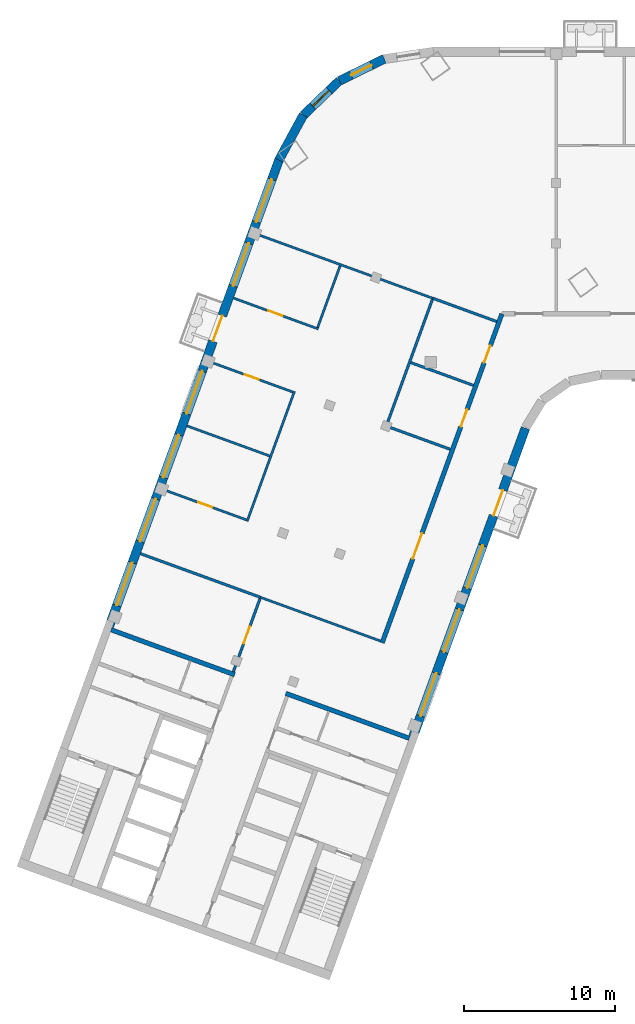
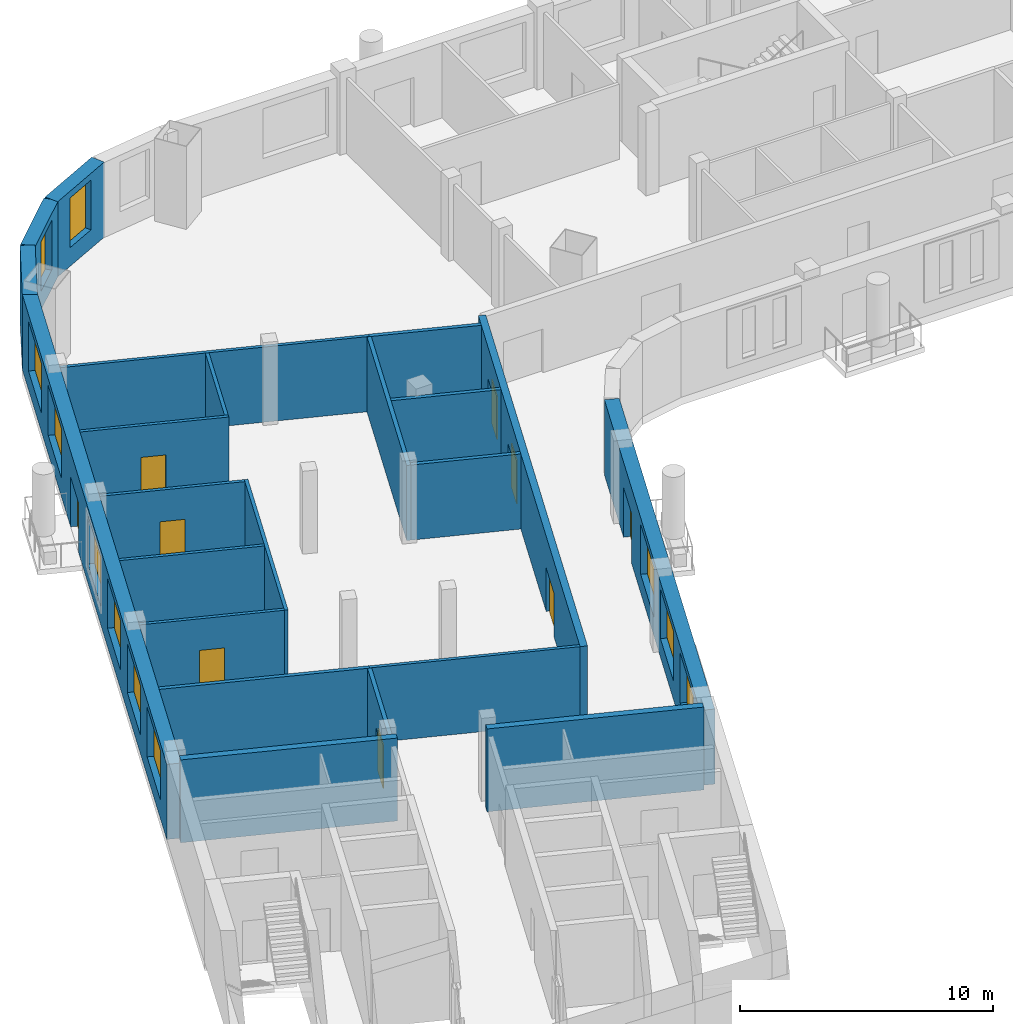
# One storey, part 3 of 10: 22 walls, 11 windows, 9 doors, 20 openings.
"""IFC4 building model written with IfcOpenShell, lengths in metres."""

import ifcopenshell
import ifcopenshell.guid

model = None  # the IFC model being written
_history = None  # IfcOwnerHistory: only IFC2X3 demands one
_inside = {}  # id of a spatial element -> (the spatial element, [elements in it])
_under = {}  # id of a project, library or spatial element -> (it, [spatial elements below it])
_declared = {}  # id of a project -> (the project, [libraries it declares])
_typed = {}  # id of a type object -> (the type object, [elements of that type])
_made_of = {}  # id of a material, layer set ... -> (it, [elements and type objects made of it])


def new_model(schema):
    """Start an empty IFC model of exactly this schema.

    Asked for "IFC4X3", IfcOpenShell would pick the latest addendum, in which some entities
    have other attributes; the version numbers below select the first issue.
    IFC2X3 requires an IfcOwnerHistory on every rooted entity: one is made here for all.
    """
    global model, _history
    if schema == "IFC4X3":
        model = ifcopenshell.file(schema_version=(4, 3, 0, 0))
    else:
        model = ifcopenshell.file(schema=schema)
    _inside.clear()
    _under.clear()
    _declared.clear()
    _typed.clear()
    _made_of.clear()
    _history = None
    if model.schema == "IFC2X3":
        org = make("IfcOrganization", Name="unknown")
        user = make(
            "IfcPersonAndOrganization",
            ThePerson=make("IfcPerson", FamilyName="unknown"),
            TheOrganization=org,
        )
        app = make(
            "IfcApplication",
            ApplicationDeveloper=org,
            Version="unknown",
            ApplicationFullName="unknown",
            ApplicationIdentifier="unknown",
        )
        _history = make(
            "IfcOwnerHistory",
            OwningUser=user,
            OwningApplication=app,
            ChangeAction="ADDED",
            CreationDate=0,
        )
    return model


def make(cls, **values):
    """One entity of the class cls with the attributes given. An attribute that is None is left unset."""
    return model.create_entity(
        cls, **{name: value for name, value in values.items() if value is not None}
    )


def rooted(cls, **values):
    """An entity with a GlobalId (a new one), such as an element, a storey or a relation."""
    return make(cls, GlobalId=ifcopenshell.guid.new(), OwnerHistory=_history, **values)


def si_unit(unit_type, name, prefix=None):
    """IfcSIUnit, for example si_unit("LENGTHUNIT", "METRE", prefix="MILLI")."""
    return make("IfcSIUnit", UnitType=unit_type, Prefix=prefix, Name=name)


def assignment(units):
    """IfcUnitAssignment: the units of a project."""
    return None if units is None else make("IfcUnitAssignment", Units=units)


def point(xyz):
    """IfcCartesianPoint."""
    return None if xyz is None else make("IfcCartesianPoint", Coordinates=xyz)


def direction(xyz):
    """IfcDirection."""
    return None if xyz is None else make("IfcDirection", DirectionRatios=xyz)


def frame(location, z_axis=None, x_axis=None):
    """IfcAxis2Placement3D, a coordinate frame: its origin and axes. An axis left out is left unset."""
    return make(
        "IfcAxis2Placement3D",
        Location=point(location),
        Axis=direction(z_axis),
        RefDirection=direction(x_axis),
    )


def frame_2d(location, x_axis=None):
    """IfcAxis2Placement2D, a coordinate frame in the plane: its origin and x axis."""
    return make(
        "IfcAxis2Placement2D", Location=point(location), RefDirection=direction(x_axis)
    )


def origin():
    """The frame at (0, 0, 0) with its axes left unset."""
    return frame((0.0, 0.0, 0.0))


def place(relative_to, where):
    """IfcLocalPlacement: puts the frame where relative to a parent placement (None: the world)."""
    return make(
        "IfcLocalPlacement", PlacementRelTo=relative_to, RelativePlacement=where
    )


def context(
    kind, dimensions, precision=None, world=None, true_north=None, identifier=None
):
    """IfcGeometricRepresentationContext, for example the 3D "Model" context."""
    return make(
        "IfcGeometricRepresentationContext",
        ContextIdentifier=identifier,
        ContextType=kind,
        CoordinateSpaceDimension=dimensions,
        Precision=precision,
        WorldCoordinateSystem=world,
        TrueNorth=true_north,
    )


def subcontext(parent, identifier, kind, view, scale=None):
    """IfcGeometricRepresentationSubContext, for example "Body" below "Model"."""
    return make(
        "IfcGeometricRepresentationSubContext",
        ContextIdentifier=identifier,
        ContextType=kind,
        ParentContext=parent,
        TargetScale=scale,
        TargetView=view,
    )


def project(units=None, contexts=None):
    """IfcProject with its units and contexts."""
    return rooted(
        "IfcProject",
        Name="project",
        RepresentationContexts=contexts,
        UnitsInContext=assignment(units),
    )


def spatial(cls, under=None, at=None, **own):
    """A site, building, storey or space (cls), placed at a placement, below another one or the project."""
    s = rooted(cls, ObjectPlacement=at, **own)
    if under is not None:
        _under.setdefault(under.id(), (under, []))[1].append(s)
    return s


def profile(cls, at=None, kind="AREA", **sizes):
    """A parametric profile (cls). Its sizes go by their IFC names, for example OverallWidth=200.0."""
    return make(cls, ProfileType=kind, Position=at, **sizes)


def rectangle(**sizes):
    """IfcRectangleProfileDef."""
    return profile("IfcRectangleProfileDef", **sizes)


def extrude(swept, where, along, depth):
    """IfcExtrudedAreaSolid: the profile swept, set in the frame where, extruded along a direction by depth."""
    return make(
        "IfcExtrudedAreaSolid",
        SweptArea=swept,
        Position=where,
        ExtrudedDirection=direction(along),
        Depth=depth,
    )


def shape(context_of_items, identifier, shape_type, items):
    """IfcShapeRepresentation: the items that make up one representation, for example the "Body"."""
    return make(
        "IfcShapeRepresentation",
        ContextOfItems=context_of_items,
        RepresentationIdentifier=identifier,
        RepresentationType=shape_type,
        Items=items,
    )


def material(Name=None, Category=None):
    """IfcMaterial."""
    return make("IfcMaterial", Name=Name, Category=Category)


def layer(
    of_material, thickness, ventilated=None, Name=None, Category=None, Priority=None
):
    """IfcMaterialLayer: one layer of a wall or slab, of a material (None: an air gap)."""
    return make(
        "IfcMaterialLayer",
        Material=of_material,
        LayerThickness=thickness,
        IsVentilated=ventilated,
        Name=Name,
        Category=Category,
        Priority=Priority,
    )


def layer_set(layers, Name=None):
    """IfcMaterialLayerSet."""
    return make("IfcMaterialLayerSet", MaterialLayers=layers, LayerSetName=Name)


def made_of(thing, what):
    """Note that an element or type object is made of a material, layer set ...; save() writes the relation."""
    if what is not None:
        _made_of.setdefault(what.id(), (what, []))[1].append(thing)
    return thing


def type_object(cls, material=None, **own):
    """A type object (cls), such as IfcWallType, which elements share."""
    return made_of(rooted(cls, **own), material)


def element(
    cls,
    number,
    at=None,
    inside=None,
    cuts=None,
    type_object=None,
    material=None,
    context=None,
    identifier="Body",
    shape_type=None,
    held_by="IfcProductDefinitionShape",
    body=None,
    shapes=None,
    **own,
):
    """One element of the class cls, such as IfcWall. Its Tag is "e" and its number.

    at: its placement. inside: the storey or other place that contains it. cuts: it is an
    opening in that element (IfcRelVoidsElement). A single representation is given by context,
    identifier, shape_type and body (its items); several are given by shapes. held_by: the class
    of the entity that holds the representations. save() writes the other relations.
    """
    e = rooted(cls, Tag="e%d" % number, ObjectPlacement=at, **own)
    if body is not None:
        shapes = [shape(context, identifier, shape_type, body)]
    if shapes is not None:
        e.Representation = make(held_by, Representations=shapes)
    if inside is not None:
        _inside.setdefault(inside.id(), (inside, []))[1].append(e)
    if cuts is not None:
        rooted(
            "IfcRelVoidsElement", RelatingBuildingElement=cuts, RelatedOpeningElement=e
        )
    if type_object is not None:
        _typed.setdefault(type_object.id(), (type_object, []))[1].append(e)
    return made_of(e, material)


def fill(opening, filler):
    """IfcRelFillsElement: the door or window that sits in an opening."""
    return rooted(
        "IfcRelFillsElement",
        RelatingOpeningElement=opening,
        RelatedBuildingElement=filler,
    )


def aggregate(whole, parts):
    """IfcRelAggregates: a whole, such as a stair, and the parts it consists of."""
    return rooted("IfcRelAggregates", RelatingObject=whole, RelatedObjects=parts)


def save(model, path):
    """Write the relations noted so far, then the file.

    IfcRelAggregates (storeys below a building ...), IfcRelContainedInSpatialStructure (elements
    in a storey), IfcRelDefinesByType, IfcRelAssociatesMaterial and IfcRelDeclares: one each for
    every whole, place, type object, material and project.
    """
    for whole, parts in _under.values():
        aggregate(whole, parts)
    for where, things in _inside.values():
        rooted(
            "IfcRelContainedInSpatialStructure",
            RelatedElements=things,
            RelatingStructure=where,
        )
    for kind, things in _typed.values():
        rooted("IfcRelDefinesByType", RelatedObjects=things, RelatingType=kind)
    for what, things in _made_of.values():
        rooted("IfcRelAssociatesMaterial", RelatedObjects=things, RelatingMaterial=what)
    for by, libraries in _declared.values():
        rooted("IfcRelDeclares", RelatingContext=by, RelatedDefinitions=libraries)
    model.write(path)


model = new_model("IFC4")

# Units and contexts
model_context = context("Model", 3, precision=1e-05, world=origin(), true_north=direction((0.0, 1.0)))
body_context = subcontext(model_context, "Body", "Model", "MODEL_VIEW")
ifc_project = project(units=[si_unit("LENGTHUNIT", "METRE"), si_unit("AREAUNIT", "SQUARE_METRE"), si_unit("VOLUMEUNIT", "CUBIC_METRE"), si_unit("PLANEANGLEUNIT", "RADIAN"), si_unit("MASSUNIT", "GRAM", prefix="KILO")], contexts=[model_context])

# Site, building, storey
site_placement = place(None, origin())
site = spatial("IfcSite", under=ifc_project, at=site_placement, CompositionType="ELEMENT")
building_placement = place(site_placement, origin())
building = spatial("IfcBuilding", under=site, at=building_placement, Name="Skarvind Civic Tower", CompositionType="ELEMENT")
storey_placement = place(building_placement, frame((0.0, 0.0, 192.0)))
storey = spatial("IfcBuildingStorey", under=building, at=storey_placement, Name="L45", CompositionType="ELEMENT", Elevation=192.0)

# Wall
ifc_material_1 = material(Name="Acoustic gypsum board on steel studs", Category="steel")
ifc_layer_1 = layer(ifc_material_1, 0.175048828125)
ifc_layer_set_1 = layer_set([ifc_layer_1], Name="ACOUSTIC MEETING-ROOM PARTITION 175")
wall_type_1 = type_object("IfcWallType", Name="ACOUSTIC MEETING-ROOM PARTITION 175", PredefinedType="PARTITIONING", material=ifc_layer_set_1)
wall_1_placement = place(storey_placement, frame((26.736083984375, 105.47998046875, 0.0), z_axis=(0.0, 0.0, 1.0), x_axis=(0.939706509432, -0.341981982173, 0.0)))
element("IfcWall", 1, at=wall_1_placement, inside=storey, type_object=wall_type_1, Name="Partition 45.001", PredefinedType="PARTITIONING", context=body_context, shape_type="SweptSolid", body=[
    extrude(rectangle(XDim=8.450439453125, YDim=0.175048828125, at=frame_2d((4.22509765625, 0.0))), origin(), (0.0, 0.0, 1.0), 3.625),
])

# Wall, opening, door
wall_2_placement = place(storey_placement, frame((32.881103515625, 97.656982421875, 0.0), z_axis=(0.0, 0.0, 1.0), x_axis=(0.342058204353, 0.939678766832, 0.0)))
wall_2 = element("IfcWall", 2, at=wall_2_placement, inside=storey, type_object=wall_type_1, Name="Partition 45.007", PredefinedType="PARTITIONING", context=body_context, shape_type="SweptSolid", body=[
    extrude(rectangle(XDim=5.16259765625, YDim=0.175048828125, at=frame_2d((2.581298828125, 0.0))), origin(), (0.0, 0.0, 1.0), 3.625),
])
opening_1_placement = place(wall_2_placement, frame((1.9912109375, 0.0, 0.0)))
opening_1 = element("IfcOpeningElement", 3, at=opening_1_placement, cuts=wall_2, Name="Opening L45-D015", PredefinedType="OPENING", context=body_context, shape_type="SweptSolid", body=[
    extrude(rectangle(XDim=1.199951171875, YDim=2.10009765625, at=frame_2d((0.60009765625, 1.050048828125))), frame((0.0, 0.097412109375, 0.0), z_axis=(0.0, -1.0, 0.0), x_axis=(1.0, 0.0, 0.0)), (0.0, 0.0, 1.0), 0.195068359375),
])
ifc_material_2 = material(Name="Timber door leaf", Category="wood")
door_type_1 = type_object("IfcDoorType", Name="DOOR 1200X2100 DOUBLE TIMBER", OperationType="NOTDEFINED", PredefinedType="DOOR", material=ifc_material_2)
door_1_placement = place(opening_1_placement, origin())
door_1 = element("IfcDoor", 4, at=door_1_placement, inside=storey, type_object=door_type_1, Name="Door L45-D015", OperationType="DOUBLE_DOOR_SINGLE_SWING", OverallHeight=2.10009765625, OverallWidth=1.199951171875, PredefinedType="DOOR", context=body_context, shape_type="SweptSolid", body=[
    extrude(rectangle(XDim=1.199951171875, YDim=2.10009765625, at=frame_2d((0.60009765625, 1.050048828125))), frame((0.0, 0.02490234375, 0.0), z_axis=(0.0, -1.0, 0.0), x_axis=(1.0, 0.0, 0.0)), (0.0, 0.0, 1.0), 0.050048828125),
])
fill(opening_1, door_1)

# Walls
for number, where, z_axis, x_axis, name in (
    (5, (43.087890625, 113.89501953125, 0.0), (0.0, 0.0, 1.0), (0.939691598517, -0.342022951975, 0.0), "Partition 45.012"),
    (6, (44.626953125, 118.1240234375, 0.0), (0.0, 0.0, 1.0), (0.939691598517, -0.342022951975, 0.0), "Partition 45.013"),
):
    element("IfcWall", number, at=place(storey_placement, frame(where, z_axis=z_axis, x_axis=x_axis)), inside=storey, type_object=wall_type_1, Name=name, PredefinedType="PARTITIONING", context=body_context, shape_type="SweptSolid", body=[
        extrude(rectangle(XDim=4.412109375, YDim=0.175048828125, at=frame_2d((2.2060546875, 0.0))), origin(), (0.0, 0.0, 1.0), 3.625),
    ])
wall_3_placement = place(storey_placement, frame((46.053955078125, 122.301025390625, 0.0), z_axis=(0.0, 0.0, 1.0), x_axis=(-0.341963022424, -0.939713409128, 0.0)))
element("IfcWall", 7, at=wall_3_placement, inside=storey, type_object=wall_type_1, Name="Partition 45.014", PredefinedType="PARTITIONING", context=body_context, shape_type="SweptSolid", body=[
    extrude(rectangle(XDim=9.000732421875, YDim=0.175048828125, at=frame_2d((4.50048828125, 0.0))), origin(), (0.0, 0.0, 1.0), 3.625),
])
wall_4_placement = place(storey_placement, frame((50.31201171875, 120.843017578125, 0.0), z_axis=(0.0, 0.0, 1.0), x_axis=(-0.939609529273, 0.342248349154, 0.0)))
element("IfcWall", 8, at=wall_4_placement, inside=storey, type_object=wall_type_1, Name="Partition 45.015", PredefinedType="PARTITIONING", context=body_context, shape_type="SweptSolid", body=[
    extrude(rectangle(XDim=4.499755859375, YDim=0.175048828125, at=frame_2d((2.25, 0.0))), origin(), (0.0, 0.0, 1.0), 3.625),
])

# Wall, openings, doors
ifc_material_3 = material(Name="Fire-rated gypsum board on steel studs", Category="steel")
ifc_layer_2 = layer(ifc_material_3, 0.300048828125)
ifc_layer_set_2 = layer_set([ifc_layer_2], Name="CORRIDOR WALL 300")
wall_type_2 = type_object("IfcWallType", Name="CORRIDOR WALL 300", PredefinedType="PARTITIONING", material=ifc_layer_set_2)
wall_5_placement = place(storey_placement, frame((42.73193359375, 99.5791015625, 0.0), z_axis=(0.0, 0.0, 1.0), x_axis=(0.342053589012, 0.939680446877, 0.0)))
wall_5 = element("IfcWall", 9, at=wall_5_placement, inside=storey, type_object=wall_type_2, Name="Partition 45.011", PredefinedType="PARTITIONING", context=body_context, shape_type="SweptSolid", body=[
    extrude(rectangle(XDim=23.166259765625, YDim=0.300048828125, at=frame_2d((11.5830078125, 0.0))), origin(), (0.0, 0.0, 1.0), 3.625),
])
opening_2_placement = place(wall_5_placement, frame((15.224853515625, 0.0, 0.0)))
opening_2 = element("IfcOpeningElement", 10, at=opening_2_placement, cuts=wall_5, Name="Opening L45-D016", PredefinedType="OPENING", context=body_context, shape_type="SweptSolid", body=[
    extrude(rectangle(XDim=1.199951171875, YDim=2.10009765625, at=frame_2d((0.60009765625, 1.050048828125))), frame((0.0, 0.159912109375, 0.0), z_axis=(0.0, -1.0, 0.0), x_axis=(1.0, 0.0, 0.0)), (0.0, 0.0, 1.0), 0.320068359375),
])
opening_3_placement = place(wall_5_placement, frame((19.724609375, 0.0, 0.0)))
opening_3 = element("IfcOpeningElement", 11, at=opening_3_placement, cuts=wall_5, Name="Opening L45-D017", PredefinedType="OPENING", context=body_context, shape_type="SweptSolid", body=[
    extrude(rectangle(XDim=1.199951171875, YDim=2.10009765625, at=frame_2d((0.60009765625, 1.050048828125))), frame((0.0, 0.159912109375, 0.0), z_axis=(0.0, -1.0, 0.0), x_axis=(1.0, 0.0, 0.0)), (0.0, 0.0, 1.0), 0.320068359375),
])
opening_4_placement = place(wall_5_placement, frame((5.924560546875, 0.0, 0.0)))
opening_4 = element("IfcOpeningElement", 12, at=opening_4_placement, cuts=wall_5, Name="Opening L45-D021", PredefinedType="OPENING", context=body_context, shape_type="SweptSolid", body=[
    extrude(rectangle(XDim=1.800048828125, YDim=2.10009765625, at=frame_2d((0.89990234375, 1.050048828125))), frame((0.0, 0.159912109375, 0.0), z_axis=(0.0, -1.0, 0.0), x_axis=(1.0, 0.0, 0.0)), (0.0, 0.0, 1.0), 0.320068359375),
])
ifc_material_4 = material(Name="Fire-rated timber door leaf", Category="wood")
door_type_2 = type_object("IfcDoorType", Name="FD4 1800x2100", OperationType="NOTDEFINED", PredefinedType="DOOR", material=ifc_material_4)
door_2_placement = place(opening_4_placement, origin())
door_2 = element("IfcDoor", 13, at=door_2_placement, inside=storey, type_object=door_type_2, Name="Door L45-D021", OperationType="DOUBLE_DOOR_SINGLE_SWING", OverallHeight=2.10009765625, OverallWidth=1.800048828125, PredefinedType="DOOR", context=body_context, shape_type="SweptSolid", body=[
    extrude(rectangle(XDim=1.800048828125, YDim=2.10009765625, at=frame_2d((0.89990234375, 1.050048828125))), frame((0.0, 0.02490234375, 0.0), z_axis=(0.0, -1.0, 0.0), x_axis=(1.0, 0.0, 0.0)), (0.0, 0.0, 1.0), 0.050048828125),
])
fill(opening_4, door_2)
door_type_3 = type_object("IfcDoorType", Name="FD6 1200x2100 DOUBLE", OperationType="NOTDEFINED", PredefinedType="DOOR", material=ifc_material_4)
door_3_placement = place(opening_2_placement, origin())
door_3 = element("IfcDoor", 14, at=door_3_placement, inside=storey, type_object=door_type_3, Name="Door L45-D016", OperationType="DOUBLE_DOOR_SINGLE_SWING", OverallHeight=2.10009765625, OverallWidth=1.199951171875, PredefinedType="DOOR", context=body_context, shape_type="SweptSolid", body=[
    extrude(rectangle(XDim=1.199951171875, YDim=2.10009765625, at=frame_2d((0.60009765625, 1.050048828125))), frame((0.0, 0.02490234375, 0.0), z_axis=(0.0, -1.0, 0.0), x_axis=(1.0, 0.0, 0.0)), (0.0, 0.0, 1.0), 0.050048828125),
])
fill(opening_2, door_3)
door_4_placement = place(opening_3_placement, origin())
door_4 = element("IfcDoor", 15, at=door_4_placement, inside=storey, type_object=door_type_3, Name="Door L45-D017", OperationType="DOUBLE_DOOR_SINGLE_SWING", OverallHeight=2.10009765625, OverallWidth=1.199951171875, PredefinedType="DOOR", context=body_context, shape_type="SweptSolid", body=[
    extrude(rectangle(XDim=1.199951171875, YDim=2.10009765625, at=frame_2d((0.60009765625, 1.050048828125))), frame((0.0, 0.02490234375, 0.0), z_axis=(0.0, -1.0, 0.0), x_axis=(1.0, 0.0, 0.0)), (0.0, 0.0, 1.0), 0.050048828125),
])
fill(opening_3, door_4)

# Walls
ifc_material_5 = material(Name="Concrete C60", Category="concrete")
ifc_layer_3 = layer(ifc_material_5, 0.300048828125)
ifc_layer_set_3 = layer_set([ifc_layer_3], Name="Core wall 300 C60")
wall_type_3 = type_object("IfcWallType", Name="Core wall 300 C60", PredefinedType="SHEAR", material=ifc_layer_set_3)
wall_6_placement = place(storey_placement, frame((44.52880859375, 93.258056640625, 0.0), z_axis=(0.0, 0.0, 1.0), x_axis=(-0.9396917844, 0.342022441267, 0.0)))
element("IfcWall", 16, at=wall_6_placement, inside=storey, type_object=wall_type_3, Name="Core wall C2 south inner face L45", PredefinedType="SHEAR", context=body_context, shape_type="SweptSolid", body=[
    extrude(rectangle(XDim=8.699951171875, YDim=0.300048828125, at=frame_2d((4.35009765625, 0.0))), origin(), (0.0, 0.0, 1.0), 4.0),
])
wall_7_placement = place(storey_placement, frame((32.970703125, 97.46484375, 0.0), z_axis=(0.0, 0.0, 1.0), x_axis=(-0.939695066972, 0.34201342241, 0.0)))
element("IfcWall", 17, at=wall_7_placement, inside=storey, type_object=wall_type_3, Name="Core wall C2 north inner face L45", PredefinedType="SHEAR", context=body_context, shape_type="SweptSolid", body=[
    extrude(rectangle(XDim=8.7001953125, YDim=0.300048828125, at=frame_2d((4.35009765625, 0.0))), origin(), (0.0, 0.0, 1.0), 4.0),
])
ifc_material_6 = material(Name="Plasterboard partition on steel studs", Category="steel")
ifc_layer_4 = layer(ifc_material_6, 0.14990234375)
ifc_layer_set_4 = layer_set([ifc_layer_4], Name="PARTITION 150")
wall_type_4 = type_object("IfcWallType", Name="PARTITION 150", PredefinedType="PARTITIONING", material=ifc_layer_set_4)
wall_8_placement = place(storey_placement, frame((29.81396484375, 113.93798828125, 0.0), z_axis=(0.0, 0.0, 1.0), x_axis=(0.939738354986, -0.341894463495, 0.0)))
element("IfcWall", 18, at=wall_8_placement, inside=storey, type_object=wall_type_4, Name="Partition 45.002", PredefinedType="PARTITIONING", context=body_context, shape_type="SweptSolid", body=[
    extrude(rectangle(XDim=5.826171875, YDim=0.14990234375, at=frame_2d((2.9130859375, 0.0))), origin(), (0.0, 0.0, 1.0), 3.625),
])

# Wall, opening, door
wall_9_placement = place(storey_placement, frame((31.35302734375, 118.166015625, 0.0), z_axis=(0.0, 0.0, 1.0), x_axis=(0.939733456466, -0.341907927371, 0.0)))
wall_9 = element("IfcWall", 19, at=wall_9_placement, inside=storey, type_object=wall_type_4, Name="Partition 45.003", PredefinedType="PARTITIONING", context=body_context, shape_type="SweptSolid", body=[
    extrude(rectangle(XDim=5.825927734375, YDim=0.14990234375, at=frame_2d((2.9130859375, 0.0))), origin(), (0.0, 0.0, 1.0), 3.625),
])
opening_5_placement = place(wall_9_placement, frame((2.42333984375, 0.0, 0.0)))
opening_5 = element("IfcOpeningElement", 20, at=opening_5_placement, cuts=wall_9, Name="Opening L45-D019", PredefinedType="OPENING", context=body_context, shape_type="SweptSolid", body=[
    extrude(rectangle(XDim=1.0, YDim=2.10009765625, at=frame_2d((0.5, 1.050048828125))), frame((0.0, 0.0849609375, 0.0), z_axis=(0.0, -1.0, 0.0), x_axis=(1.0, 0.0, 0.0)), (0.0, 0.0, 1.0), 0.169921875),
])
door_type_4 = type_object("IfcDoorType", Name="D1 1000x2100", OperationType="NOTDEFINED", PredefinedType="DOOR", material=ifc_material_2)
door_5_placement = place(opening_5_placement, origin())
door_5 = element("IfcDoor", 21, at=door_5_placement, inside=storey, type_object=door_type_4, Name="Door L45-D019", OperationType="SINGLE_SWING_LEFT", OverallHeight=2.10009765625, OverallWidth=1.0, PredefinedType="DOOR", context=body_context, shape_type="SweptSolid", body=[
    extrude(rectangle(XDim=1.0, YDim=2.10009765625, at=frame_2d((0.5, 1.050048828125))), frame((0.0, 0.02490234375, 0.0), z_axis=(0.0, -1.0, 0.0), x_axis=(1.0, 0.0, 0.0)), (0.0, 0.0, 1.0), 0.050048828125),
])
fill(opening_5, door_5)

wall_10_placement = place(storey_placement, frame((33.7490234375, 107.717041015625, 0.0), z_axis=(0.0, 0.0, 1.0), x_axis=(-0.939718757431, 0.341948324943, 0.0)))
wall_10 = element("IfcWall", 22, at=wall_10_placement, inside=storey, type_object=wall_type_4, Name="Partition 45.004", PredefinedType="PARTITIONING", context=body_context, shape_type="SweptSolid", body=[
    extrude(rectangle(XDim=5.8251953125, YDim=0.14990234375, at=frame_2d((2.91259765625, 0.0))), origin(), (0.0, 0.0, 1.0), 3.625),
])
opening_6_placement = place(wall_10_placement, frame((2.402587890625, 0.0, 0.0)))
opening_6 = element("IfcOpeningElement", 23, at=opening_6_placement, cuts=wall_10, Name="Opening L45-D018", PredefinedType="OPENING", context=body_context, shape_type="SweptSolid", body=[
    extrude(rectangle(XDim=1.0, YDim=2.10009765625, at=frame_2d((0.5, 1.050048828125))), frame((0.0, 0.0849609375, 0.0), z_axis=(0.0, -1.0, 0.0), x_axis=(1.0, 0.0, 0.0)), (0.0, 0.0, 1.0), 0.169921875),
])
door_6_placement = place(opening_6_placement, origin())
door_6 = element("IfcDoor", 24, at=door_6_placement, inside=storey, type_object=door_type_4, Name="Door L45-D018", OperationType="SINGLE_SWING_LEFT", OverallHeight=2.10009765625, OverallWidth=1.0, PredefinedType="DOOR", context=body_context, shape_type="SweptSolid", body=[
    extrude(rectangle(XDim=1.0, YDim=2.10009765625, at=frame_2d((0.5, 1.050048828125))), frame((0.0, 0.02490234375, 0.0), z_axis=(0.0, -1.0, 0.0), x_axis=(1.0, 0.0, 0.0)), (0.0, 0.0, 1.0), 0.050048828125),
])
fill(opening_6, door_6)

# Walls
wall_11_placement = place(storey_placement, frame((36.924072265625, 116.218017578125, 0.0), z_axis=(0.0, 0.0, 1.0), x_axis=(-0.342220796767, -0.939619564643, 0.0)))
element("IfcWall", 25, at=wall_11_placement, inside=storey, type_object=wall_type_4, Name="Partition 45.005", PredefinedType="PARTITIONING", context=body_context, shape_type="SweptSolid", body=[
    extrude(rectangle(XDim=9.1494140625, YDim=0.14990234375, at=frame_2d((4.57470703125, 0.0))), origin(), (0.0, 0.0, 1.0), 3.625),
])
wall_12_placement = place(storey_placement, frame((34.430908203125, 126.6240234375, 0.0), z_axis=(0.0, 0.0, 1.0), x_axis=(0.939703144457, -0.341991228392, 0.0)))
element("IfcWall", 26, at=wall_12_placement, inside=storey, type_object=wall_type_4, Name="Partition 45.006", PredefinedType="PARTITIONING", context=body_context, shape_type="SweptSolid", body=[
    extrude(rectangle(XDim=12.40087890625, YDim=0.14990234375, at=frame_2d((6.200439453125, 0.0))), origin(), (0.0, 0.0, 1.0), 3.625),
])
wall_13_placement = place(storey_placement, frame((34.677001953125, 102.590087890625, 0.0), z_axis=(0.0, 0.0, 1.0), x_axis=(0.939683705252, -0.342044637561, 0.0)))
element("IfcWall", 27, at=wall_13_placement, inside=storey, type_object=wall_type_4, Name="Partition 45.008", PredefinedType="PARTITIONING", context=body_context, shape_type="SweptSolid", body=[
    extrude(rectangle(XDim=8.44970703125, YDim=0.14990234375, at=frame_2d((4.224853515625, 0.0))), origin(), (0.0, 0.0, 1.0), 3.625),
])

# Wall, opening, door
wall_14_placement = place(storey_placement, frame((38.507080078125, 120.35107421875, 0.0), z_axis=(0.0, 0.0, 1.0), x_axis=(-0.939678850769, 0.342057973766, 0.0)))
wall_14 = element("IfcWall", 28, at=wall_14_placement, inside=storey, type_object=wall_type_4, Name="Partition 45.009", PredefinedType="PARTITIONING", context=body_context, shape_type="SweptSolid", body=[
    extrude(rectangle(XDim=5.975341796875, YDim=0.14990234375, at=frame_2d((2.98779296875, 0.0))), origin(), (0.0, 0.0, 1.0), 3.625),
])
opening_7_placement = place(wall_14_placement, frame((2.52490234375, 0.0, 0.0)))
opening_7 = element("IfcOpeningElement", 29, at=opening_7_placement, cuts=wall_14, Name="Opening L45-D020", PredefinedType="OPENING", context=body_context, shape_type="SweptSolid", body=[
    extrude(rectangle(XDim=1.0, YDim=2.10009765625, at=frame_2d((0.5, 1.050048828125))), frame((0.0, 0.0849609375, 0.0), z_axis=(0.0, -1.0, 0.0), x_axis=(1.0, 0.0, 0.0)), (0.0, 0.0, 1.0), 0.169921875),
])
door_7_placement = place(opening_7_placement, origin())
door_7 = element("IfcDoor", 30, at=door_7_placement, inside=storey, type_object=door_type_4, Name="Door L45-D020", OperationType="SINGLE_SWING_LEFT", OverallHeight=2.10009765625, OverallWidth=1.0, PredefinedType="DOOR", context=body_context, shape_type="SweptSolid", body=[
    extrude(rectangle(XDim=1.0, YDim=2.10009765625, at=frame_2d((0.5, 1.050048828125))), frame((0.0, 0.02490234375, 0.0), z_axis=(0.0, -1.0, 0.0), x_axis=(1.0, 0.0, 0.0)), (0.0, 0.0, 1.0), 0.050048828125),
])
fill(opening_7, door_7)

# Wall
wall_15_placement = place(storey_placement, frame((39.949951171875, 124.535888671875, 0.0), z_axis=(0.0, 0.0, 1.0), x_axis=(-0.341783611499, -0.939778677621, 0.0)))
element("IfcWall", 31, at=wall_15_placement, inside=storey, type_object=wall_type_4, Name="Partition 45.010", PredefinedType="PARTITIONING", context=body_context, shape_type="SweptSolid", body=[
    extrude(rectangle(XDim=4.350830078125, YDim=0.14990234375, at=frame_2d((2.17529296875, 0.0))), origin(), (0.0, 0.0, 1.0), 3.625),
])

# Wall, openings, door, windows
ifc_material_7 = material(Name="Limestone masonry cladding on insulated backing", Category="masonry")
ifc_layer_5 = layer(ifc_material_7, 0.60009765625)
ifc_layer_set_5 = layer_set([ifc_layer_5], Name="WX1 STONE FACADE WALL 600")
wall_type_5 = type_object("IfcWallType", Name="WX1 STONE FACADE WALL 600", PredefinedType="SOLIDWALL", material=ifc_layer_set_5)
wall_16_placement = place(storey_placement, frame((52.212158203125, 113.78271484375, 0.0), z_axis=(0.0, 0.0, 1.0), x_axis=(-0.34202521188, -0.939690775968, 0.0)))
wall_16 = element("IfcWall", 32, at=wall_16_placement, inside=storey, type_object=wall_type_5, Name="STONE FACADE WALL", PredefinedType="SOLIDWALL", context=body_context, shape_type="SweptSolid", body=[
    extrude(rectangle(XDim=21.744873046875, YDim=0.60009765625, at=frame_2d((10.87255859375, 0.0))), origin(), (0.0, 0.0, 1.0), 3.625),
])
opening_8_placement = place(wall_16_placement, frame((4.364990234375, 0.0, 0.0)))
opening_8 = element("IfcOpeningElement", 33, at=opening_8_placement, cuts=wall_16, Name="Opening DX3", PredefinedType="OPENING", context=body_context, shape_type="SweptSolid", body=[
    extrude(rectangle(XDim=1.800048828125, YDim=2.39990234375, at=frame_2d((0.89990234375, 1.199951171875))), frame((0.0, 0.31005859375, 0.0), z_axis=(0.0, -1.0, 0.0), x_axis=(1.0, 0.0, 0.0)), (0.0, 0.0, 1.0), 0.6201171875),
])
opening_9_placement = place(wall_16_placement, frame((8.264892578125, 0.0, 0.89990234375)))
opening_9 = element("IfcOpeningElement", 34, at=opening_9_placement, cuts=wall_16, Name="Opening WN1", PredefinedType="OPENING", context=body_context, shape_type="SweptSolid", body=[
    extrude(rectangle(XDim=3.0, YDim=2.39990234375, at=frame_2d((1.5, 1.199951171875))), frame((0.0, 0.31005859375, 0.0), z_axis=(0.0, -1.0, 0.0), x_axis=(1.0, 0.0, 0.0)), (0.0, 0.0, 1.0), 0.6201171875),
])
opening_10_placement = place(wall_16_placement, frame((12.764892578125, 0.0, 0.89990234375)))
opening_10 = element("IfcOpeningElement", 35, at=opening_10_placement, cuts=wall_16, Name="Opening WN1", PredefinedType="OPENING", context=body_context, shape_type="SweptSolid", body=[
    extrude(rectangle(XDim=3.0, YDim=2.39990234375, at=frame_2d((1.5, 1.199951171875))), frame((0.0, 0.31005859375, 0.0), z_axis=(0.0, -1.0, 0.0), x_axis=(1.0, 0.0, 0.0)), (0.0, 0.0, 1.0), 0.6201171875),
])
opening_11_placement = place(wall_16_placement, frame((17.264892578125, 0.0, 0.89990234375)))
opening_11 = element("IfcOpeningElement", 36, at=opening_11_placement, cuts=wall_16, Name="Opening WN1", PredefinedType="OPENING", context=body_context, shape_type="SweptSolid", body=[
    extrude(rectangle(XDim=3.0, YDim=2.39990234375, at=frame_2d((1.5, 1.199951171875))), frame((0.0, 0.31005859375, 0.0), z_axis=(0.0, -1.0, 0.0), x_axis=(1.0, 0.0, 0.0)), (0.0, 0.0, 1.0), 0.6201171875),
])
ifc_material_8 = material(Name="Timber and glass doorset", Category="wood")
door_type_5 = type_object("IfcDoorType", Name="DX3 TERRACE DOORS 1800 x 2400", OperationType="NOTDEFINED", PredefinedType="DOOR", material=ifc_material_8)
door_8_placement = place(opening_8_placement, origin())
door_8 = element("IfcDoor", 37, at=door_8_placement, inside=storey, type_object=door_type_5, Name="TERRACE DOORS", OperationType="DOUBLE_DOOR_SINGLE_SWING", OverallHeight=2.39990234375, OverallWidth=1.800048828125, PredefinedType="DOOR", context=body_context, shape_type="SweptSolid", body=[
    extrude(rectangle(XDim=1.800048828125, YDim=2.39990234375, at=frame_2d((0.89990234375, 1.199951171875))), frame((0.0, 0.02490234375, 0.0), z_axis=(0.0, -1.0, 0.0), x_axis=(1.0, 0.0, 0.0)), (0.0, 0.0, 1.0), 0.050048828125),
])
fill(opening_8, door_8)
ifc_material_9 = material(Name="Timber frame, double glazing, timber-lined reveal", Category="wood")
window_type_1 = type_object("IfcWindowType", Name="WN1 PUNCHED STONE WINDOW 3000 x 2400", PartitioningType="SINGLE_PANEL", PredefinedType="WINDOW", material=ifc_material_9)
window_1_placement = place(opening_9_placement, origin())
window_1 = element("IfcWindow", 38, at=window_1_placement, inside=storey, type_object=window_type_1, Name="WN1 WINDOW", OverallHeight=2.39990234375, OverallWidth=3.0, PartitioningType="SINGLE_PANEL", PredefinedType="WINDOW", context=body_context, shape_type="SweptSolid", body=[
    extrude(rectangle(XDim=3.0, YDim=2.39990234375, at=frame_2d((1.5, 1.199951171875))), frame((0.0, 0.030029296875, 0.0), z_axis=(0.0, -1.0, 0.0), x_axis=(1.0, 0.0, 0.0)), (0.0, 0.0, 1.0), 0.06005859375),
])
fill(opening_9, window_1)
window_2_placement = place(opening_10_placement, origin())
window_2 = element("IfcWindow", 39, at=window_2_placement, inside=storey, type_object=window_type_1, Name="WN1 WINDOW", OverallHeight=2.39990234375, OverallWidth=3.0, PartitioningType="SINGLE_PANEL", PredefinedType="WINDOW", context=body_context, shape_type="SweptSolid", body=[
    extrude(rectangle(XDim=3.0, YDim=2.39990234375, at=frame_2d((1.5, 1.199951171875))), frame((0.0, 0.030029296875, 0.0), z_axis=(0.0, -1.0, 0.0), x_axis=(1.0, 0.0, 0.0)), (0.0, 0.0, 1.0), 0.06005859375),
])
fill(opening_10, window_2)
window_3_placement = place(opening_11_placement, origin())
window_3 = element("IfcWindow", 40, at=window_3_placement, inside=storey, type_object=window_type_1, Name="WN1 WINDOW", OverallHeight=2.39990234375, OverallWidth=3.0, PartitioningType="SINGLE_PANEL", PredefinedType="WINDOW", context=body_context, shape_type="SweptSolid", body=[
    extrude(rectangle(XDim=3.0, YDim=2.39990234375, at=frame_2d((1.5, 1.199951171875))), frame((0.0, 0.030029296875, 0.0), z_axis=(0.0, -1.0, 0.0), x_axis=(1.0, 0.0, 0.0)), (0.0, 0.0, 1.0), 0.06005859375),
])
fill(opening_11, window_3)

# Wall, opening, window
wall_17_placement = place(storey_placement, frame((39.9072265625, 136.77587890625, 0.0), z_axis=(0.0, 0.0, 1.0), x_axis=(0.89761231107, 0.440785819889, 0.0)))
wall_17 = element("IfcWall", 41, at=wall_17_placement, inside=storey, type_object=wall_type_5, Name="STONE FACADE WALL", PredefinedType="SOLIDWALL", context=body_context, shape_type="SweptSolid", body=[
    extrude(rectangle(XDim=3.302734375, YDim=0.60009765625, at=frame_2d((1.6513671875, 0.0))), origin(), (0.0, 0.0, 1.0), 3.625),
])
opening_12_placement = place(wall_17_placement, frame((0.8564453125, 0.0, 0.89990234375)))
opening_12 = element("IfcOpeningElement", 42, at=opening_12_placement, cuts=wall_17, Name="Opening WN8", PredefinedType="OPENING", context=body_context, shape_type="SweptSolid", body=[
    extrude(rectangle(XDim=1.5, YDim=2.39990234375, at=frame_2d((0.75, 1.199951171875))), frame((0.0, 0.31005859375, 0.0), z_axis=(0.0, -1.0, 0.0), x_axis=(1.0, 0.0, 0.0)), (0.0, 0.0, 1.0), 0.6201171875),
])
window_type_2 = type_object("IfcWindowType", Name="WN8 ARC BAY WINDOW 1500 x 2400", PartitioningType="SINGLE_PANEL", PredefinedType="WINDOW", material=ifc_material_9)
window_4_placement = place(opening_12_placement, origin())
window_4 = element("IfcWindow", 43, at=window_4_placement, inside=storey, type_object=window_type_2, Name="WN8 WINDOW", OverallHeight=2.39990234375, OverallWidth=1.5, PartitioningType="SINGLE_PANEL", PredefinedType="WINDOW", context=body_context, shape_type="SweptSolid", body=[
    extrude(rectangle(XDim=1.5, YDim=2.39990234375, at=frame_2d((0.75, 1.199951171875))), frame((0.0, 0.030029296875, 0.0), z_axis=(0.0, -1.0, 0.0), x_axis=(1.0, 0.0, 0.0)), (0.0, 0.0, 1.0), 0.06005859375),
])
fill(opening_12, window_4)

wall_18_placement = place(storey_placement, frame((37.520263671875, 134.501220703125, 0.0), z_axis=(0.0, 0.0, 1.0), x_axis=(0.72115684486, 0.692771827596, 0.0)))
wall_18 = element("IfcWall", 44, at=wall_18_placement, inside=storey, type_object=wall_type_5, Name="STONE FACADE WALL", PredefinedType="SOLIDWALL", context=body_context, shape_type="SweptSolid", body=[
    extrude(rectangle(XDim=3.302734375, YDim=0.60009765625, at=frame_2d((1.6513671875, 0.0))), origin(), (0.0, 0.0, 1.0), 3.625),
])
opening_13_placement = place(wall_18_placement, frame((0.8564453125, 0.0, 0.89990234375)))
opening_13 = element("IfcOpeningElement", 45, at=opening_13_placement, cuts=wall_18, Name="Opening WN8", PredefinedType="OPENING", context=body_context, shape_type="SweptSolid", body=[
    extrude(rectangle(XDim=1.5, YDim=2.39990234375, at=frame_2d((0.75, 1.199951171875))), frame((0.0, 0.31005859375, 0.0), z_axis=(0.0, -1.0, 0.0), x_axis=(1.0, 0.0, 0.0)), (0.0, 0.0, 1.0), 0.6201171875),
])
window_5_placement = place(opening_13_placement, origin())
window_5 = element("IfcWindow", 46, at=window_5_placement, inside=storey, type_object=window_type_2, Name="WN8 WINDOW", OverallHeight=2.39990234375, OverallWidth=1.5, PartitioningType="SINGLE_PANEL", PredefinedType="WINDOW", context=body_context, shape_type="SweptSolid", body=[
    extrude(rectangle(XDim=1.5, YDim=2.39990234375, at=frame_2d((0.75, 1.199951171875))), frame((0.0, 0.030029296875, 0.0), z_axis=(0.0, -1.0, 0.0), x_axis=(1.0, 0.0, 0.0)), (0.0, 0.0, 1.0), 0.06005859375),
])
fill(opening_13, window_5)

# Wall
wall_19_placement = place(storey_placement, frame((35.89453125, 131.529541015625, 0.0), z_axis=(0.0, 0.0, 1.0), x_axis=(0.476531180538, 0.879157570618, 0.0)))
element("IfcWall", 47, at=wall_19_placement, inside=storey, type_object=wall_type_5, Name="STONE FACADE WALL", PredefinedType="SOLIDWALL", context=body_context, shape_type="SweptSolid", body=[
    extrude(rectangle(XDim=3.392578125, YDim=0.60009765625, at=frame_2d((1.6962890625, 0.0))), origin(), (0.0, 0.0, 1.0), 3.625),
])

# Wall, openings, door, windows
wall_20_placement = place(storey_placement, frame((24.66552734375, 100.668701171875, 0.0), z_axis=(0.0, 0.0, 1.0), x_axis=(0.34201964167, 0.939692803373, 0.0)))
wall_20 = element("IfcWall", 48, at=wall_20_placement, inside=storey, type_object=wall_type_5, Name="STONE FACADE WALL", PredefinedType="SOLIDWALL", context=body_context, shape_type="SweptSolid", body=[
    extrude(rectangle(XDim=32.88427734375, YDim=0.60009765625, at=frame_2d((16.442138671875, 0.0))), origin(), (0.0, 0.0, 1.0), 3.625),
])
opening_14_placement = place(wall_20_placement, frame((1.47998046875, 0.0, 0.89990234375)))
opening_14 = element("IfcOpeningElement", 49, at=opening_14_placement, cuts=wall_20, Name="Opening WN1", PredefinedType="OPENING", context=body_context, shape_type="SweptSolid", body=[
    extrude(rectangle(XDim=3.0, YDim=2.39990234375, at=frame_2d((1.5, 1.199951171875))), frame((0.0, 0.31005859375, 0.0), z_axis=(0.0, -1.0, 0.0), x_axis=(1.0, 0.0, 0.0)), (0.0, 0.0, 1.0), 0.6201171875),
])
opening_15_placement = place(wall_20_placement, frame((5.97998046875, 0.0, 0.89990234375)))
opening_15 = element("IfcOpeningElement", 50, at=opening_15_placement, cuts=wall_20, Name="Opening WN1", PredefinedType="OPENING", context=body_context, shape_type="SweptSolid", body=[
    extrude(rectangle(XDim=3.0, YDim=2.39990234375, at=frame_2d((1.5, 1.199951171875))), frame((0.0, 0.31005859375, 0.0), z_axis=(0.0, -1.0, 0.0), x_axis=(1.0, 0.0, 0.0)), (0.0, 0.0, 1.0), 0.6201171875),
])
opening_16_placement = place(wall_20_placement, frame((10.47998046875, 0.0, 0.89990234375)))
opening_16 = element("IfcOpeningElement", 51, at=opening_16_placement, cuts=wall_20, Name="Opening WN1", PredefinedType="OPENING", context=body_context, shape_type="SweptSolid", body=[
    extrude(rectangle(XDim=3.0, YDim=2.39990234375, at=frame_2d((1.5, 1.199951171875))), frame((0.0, 0.31005859375, 0.0), z_axis=(0.0, -1.0, 0.0), x_axis=(1.0, 0.0, 0.0)), (0.0, 0.0, 1.0), 0.6201171875),
])
opening_17_placement = place(wall_20_placement, frame((14.97998046875, 0.0, 0.89990234375)))
opening_17 = element("IfcOpeningElement", 52, at=opening_17_placement, cuts=wall_20, Name="Opening WN1", PredefinedType="OPENING", context=body_context, shape_type="SweptSolid", body=[
    extrude(rectangle(XDim=3.0, YDim=2.39990234375, at=frame_2d((1.5, 1.199951171875))), frame((0.0, 0.31005859375, 0.0), z_axis=(0.0, -1.0, 0.0), x_axis=(1.0, 0.0, 0.0)), (0.0, 0.0, 1.0), 0.6201171875),
])
opening_18_placement = place(wall_20_placement, frame((20.080078125, 0.0, 0.0)))
opening_18 = element("IfcOpeningElement", 53, at=opening_18_placement, cuts=wall_20, Name="Opening DX3", PredefinedType="OPENING", context=body_context, shape_type="SweptSolid", body=[
    extrude(rectangle(XDim=1.800048828125, YDim=2.39990234375, at=frame_2d((0.89990234375, 1.199951171875))), frame((0.0, 0.31005859375, 0.0), z_axis=(0.0, -1.0, 0.0), x_axis=(1.0, 0.0, 0.0)), (0.0, 0.0, 1.0), 0.6201171875),
])
opening_19_placement = place(wall_20_placement, frame((23.97998046875, 0.0, 0.89990234375)))
opening_19 = element("IfcOpeningElement", 54, at=opening_19_placement, cuts=wall_20, Name="Opening WN1", PredefinedType="OPENING", context=body_context, shape_type="SweptSolid", body=[
    extrude(rectangle(XDim=3.0, YDim=2.39990234375, at=frame_2d((1.5, 1.199951171875))), frame((0.0, 0.31005859375, 0.0), z_axis=(0.0, -1.0, 0.0), x_axis=(1.0, 0.0, 0.0)), (0.0, 0.0, 1.0), 0.6201171875),
])
opening_20_placement = place(wall_20_placement, frame((28.47998046875, 0.0, 0.89990234375)))
opening_20 = element("IfcOpeningElement", 55, at=opening_20_placement, cuts=wall_20, Name="Opening WN1", PredefinedType="OPENING", context=body_context, shape_type="SweptSolid", body=[
    extrude(rectangle(XDim=3.0, YDim=2.39990234375, at=frame_2d((1.5, 1.199951171875))), frame((0.0, 0.31005859375, 0.0), z_axis=(0.0, -1.0, 0.0), x_axis=(1.0, 0.0, 0.0)), (0.0, 0.0, 1.0), 0.6201171875),
])
door_9_placement = place(opening_18_placement, origin())
door_9 = element("IfcDoor", 56, at=door_9_placement, inside=storey, type_object=door_type_5, Name="TERRACE DOORS", OperationType="DOUBLE_DOOR_SINGLE_SWING", OverallHeight=2.39990234375, OverallWidth=1.800048828125, PredefinedType="DOOR", context=body_context, shape_type="SweptSolid", body=[
    extrude(rectangle(XDim=1.800048828125, YDim=2.39990234375, at=frame_2d((0.89990234375, 1.199951171875))), frame((0.0, 0.02490234375, 0.0), z_axis=(0.0, -1.0, 0.0), x_axis=(1.0, 0.0, 0.0)), (0.0, 0.0, 1.0), 0.050048828125),
])
fill(opening_18, door_9)
window_6_placement = place(opening_14_placement, origin())
window_6 = element("IfcWindow", 57, at=window_6_placement, inside=storey, type_object=window_type_1, Name="WN1 WINDOW", OverallHeight=2.39990234375, OverallWidth=3.0, PartitioningType="SINGLE_PANEL", PredefinedType="WINDOW", context=body_context, shape_type="SweptSolid", body=[
    extrude(rectangle(XDim=3.0, YDim=2.39990234375, at=frame_2d((1.5, 1.199951171875))), frame((0.0, 0.030029296875, 0.0), z_axis=(0.0, -1.0, 0.0), x_axis=(1.0, 0.0, 0.0)), (0.0, 0.0, 1.0), 0.06005859375),
])
fill(opening_14, window_6)
window_7_placement = place(opening_15_placement, origin())
window_7 = element("IfcWindow", 58, at=window_7_placement, inside=storey, type_object=window_type_1, Name="WN1 WINDOW", OverallHeight=2.39990234375, OverallWidth=3.0, PartitioningType="SINGLE_PANEL", PredefinedType="WINDOW", context=body_context, shape_type="SweptSolid", body=[
    extrude(rectangle(XDim=3.0, YDim=2.39990234375, at=frame_2d((1.5, 1.199951171875))), frame((0.0, 0.030029296875, 0.0), z_axis=(0.0, -1.0, 0.0), x_axis=(1.0, 0.0, 0.0)), (0.0, 0.0, 1.0), 0.06005859375),
])
fill(opening_15, window_7)
window_8_placement = place(opening_16_placement, origin())
window_8 = element("IfcWindow", 59, at=window_8_placement, inside=storey, type_object=window_type_1, Name="WN1 WINDOW", OverallHeight=2.39990234375, OverallWidth=3.0, PartitioningType="SINGLE_PANEL", PredefinedType="WINDOW", context=body_context, shape_type="SweptSolid", body=[
    extrude(rectangle(XDim=3.0, YDim=2.39990234375, at=frame_2d((1.5, 1.199951171875))), frame((0.0, 0.030029296875, 0.0), z_axis=(0.0, -1.0, 0.0), x_axis=(1.0, 0.0, 0.0)), (0.0, 0.0, 1.0), 0.06005859375),
])
fill(opening_16, window_8)
window_9_placement = place(opening_17_placement, origin())
window_9 = element("IfcWindow", 60, at=window_9_placement, inside=storey, type_object=window_type_1, Name="WN1 WINDOW", OverallHeight=2.39990234375, OverallWidth=3.0, PartitioningType="SINGLE_PANEL", PredefinedType="WINDOW", context=body_context, shape_type="SweptSolid", body=[
    extrude(rectangle(XDim=3.0, YDim=2.39990234375, at=frame_2d((1.5, 1.199951171875))), frame((0.0, 0.030029296875, 0.0), z_axis=(0.0, -1.0, 0.0), x_axis=(1.0, 0.0, 0.0)), (0.0, 0.0, 1.0), 0.06005859375),
])
fill(opening_17, window_9)
window_10_placement = place(opening_19_placement, origin())
window_10 = element("IfcWindow", 61, at=window_10_placement, inside=storey, type_object=window_type_1, Name="WN1 WINDOW", OverallHeight=2.39990234375, OverallWidth=3.0, PartitioningType="SINGLE_PANEL", PredefinedType="WINDOW", context=body_context, shape_type="SweptSolid", body=[
    extrude(rectangle(XDim=3.0, YDim=2.39990234375, at=frame_2d((1.5, 1.199951171875))), frame((0.0, 0.030029296875, 0.0), z_axis=(0.0, -1.0, 0.0), x_axis=(1.0, 0.0, 0.0)), (0.0, 0.0, 1.0), 0.06005859375),
])
fill(opening_19, window_10)
window_11_placement = place(opening_20_placement, origin())
window_11 = element("IfcWindow", 62, at=window_11_placement, inside=storey, type_object=window_type_1, Name="WN1 WINDOW", OverallHeight=2.39990234375, OverallWidth=3.0, PartitioningType="SINGLE_PANEL", PredefinedType="WINDOW", context=body_context, shape_type="SweptSolid", body=[
    extrude(rectangle(XDim=3.0, YDim=2.39990234375, at=frame_2d((1.5, 1.199951171875))), frame((0.0, 0.030029296875, 0.0), z_axis=(0.0, -1.0, 0.0), x_axis=(1.0, 0.0, 0.0)), (0.0, 0.0, 1.0), 0.06005859375),
])
fill(opening_20, window_11)

save(model, "model.ifc")
